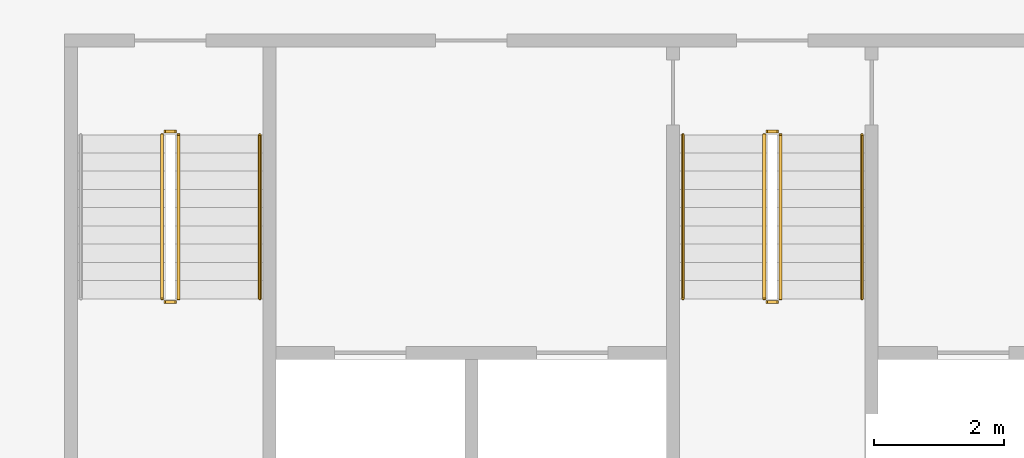
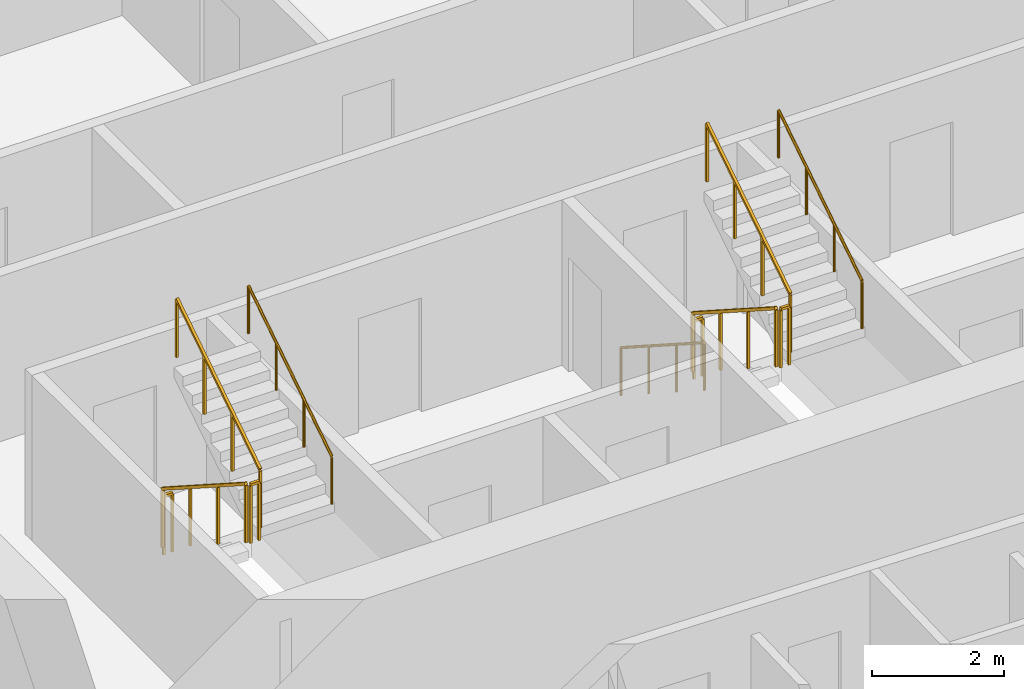
# One storey, part 12 of 14: 11 railings.
"""IFC4 building model written with IfcOpenShell, lengths in metres."""

import ifcopenshell
import ifcopenshell.guid

model = None  # the IFC model being written
_history = None  # IfcOwnerHistory: only IFC2X3 demands one
_inside = {}  # id of a spatial element -> (the spatial element, [elements in it])
_under = {}  # id of a project, library or spatial element -> (it, [spatial elements below it])
_declared = {}  # id of a project -> (the project, [libraries it declares])
_typed = {}  # id of a type object -> (the type object, [elements of that type])
_made_of = {}  # id of a material, layer set ... -> (it, [elements and type objects made of it])


def new_model(schema):
    """Start an empty IFC model of exactly this schema.

    Asked for "IFC4X3", IfcOpenShell would pick the latest addendum, in which some entities
    have other attributes; the version numbers below select the first issue.
    IFC2X3 requires an IfcOwnerHistory on every rooted entity: one is made here for all.
    """
    global model, _history
    if schema == "IFC4X3":
        model = ifcopenshell.file(schema_version=(4, 3, 0, 0))
    else:
        model = ifcopenshell.file(schema=schema)
    _inside.clear()
    _under.clear()
    _declared.clear()
    _typed.clear()
    _made_of.clear()
    _history = None
    if model.schema == "IFC2X3":
        org = make("IfcOrganization", Name="unknown")
        user = make(
            "IfcPersonAndOrganization",
            ThePerson=make("IfcPerson", FamilyName="unknown"),
            TheOrganization=org,
        )
        app = make(
            "IfcApplication",
            ApplicationDeveloper=org,
            Version="unknown",
            ApplicationFullName="unknown",
            ApplicationIdentifier="unknown",
        )
        _history = make(
            "IfcOwnerHistory",
            OwningUser=user,
            OwningApplication=app,
            ChangeAction="ADDED",
            CreationDate=0,
        )
    return model


def make(cls, **values):
    """One entity of the class cls with the attributes given. An attribute that is None is left unset."""
    return model.create_entity(
        cls, **{name: value for name, value in values.items() if value is not None}
    )


def rooted(cls, **values):
    """An entity with a GlobalId (a new one), such as an element, a storey or a relation."""
    return make(cls, GlobalId=ifcopenshell.guid.new(), OwnerHistory=_history, **values)


def si_unit(unit_type, name, prefix=None):
    """IfcSIUnit, for example si_unit("LENGTHUNIT", "METRE", prefix="MILLI")."""
    return make("IfcSIUnit", UnitType=unit_type, Prefix=prefix, Name=name)


def assignment(units):
    """IfcUnitAssignment: the units of a project."""
    return None if units is None else make("IfcUnitAssignment", Units=units)


def point(xyz):
    """IfcCartesianPoint."""
    return None if xyz is None else make("IfcCartesianPoint", Coordinates=xyz)


def direction(xyz):
    """IfcDirection."""
    return None if xyz is None else make("IfcDirection", DirectionRatios=xyz)


def frame(location, z_axis=None, x_axis=None):
    """IfcAxis2Placement3D, a coordinate frame: its origin and axes. An axis left out is left unset."""
    return make(
        "IfcAxis2Placement3D",
        Location=point(location),
        Axis=direction(z_axis),
        RefDirection=direction(x_axis),
    )


def frame_2d(location, x_axis=None):
    """IfcAxis2Placement2D, a coordinate frame in the plane: its origin and x axis."""
    return make(
        "IfcAxis2Placement2D", Location=point(location), RefDirection=direction(x_axis)
    )


def origin():
    """The frame at (0, 0, 0) with its axes left unset."""
    return frame((0.0, 0.0, 0.0))


def origin_2d():
    """The frame at (0, 0) in the plane with its x axis left unset."""
    return frame_2d((0.0, 0.0))


def place(relative_to, where):
    """IfcLocalPlacement: puts the frame where relative to a parent placement (None: the world)."""
    return make(
        "IfcLocalPlacement", PlacementRelTo=relative_to, RelativePlacement=where
    )


def context(
    kind, dimensions, precision=None, world=None, true_north=None, identifier=None
):
    """IfcGeometricRepresentationContext, for example the 3D "Model" context."""
    return make(
        "IfcGeometricRepresentationContext",
        ContextIdentifier=identifier,
        ContextType=kind,
        CoordinateSpaceDimension=dimensions,
        Precision=precision,
        WorldCoordinateSystem=world,
        TrueNorth=true_north,
    )


def subcontext(parent, identifier, kind, view, scale=None):
    """IfcGeometricRepresentationSubContext, for example "Body" below "Model"."""
    return make(
        "IfcGeometricRepresentationSubContext",
        ContextIdentifier=identifier,
        ContextType=kind,
        ParentContext=parent,
        TargetScale=scale,
        TargetView=view,
    )


def project(units=None, contexts=None):
    """IfcProject with its units and contexts."""
    return rooted(
        "IfcProject",
        Name="project",
        RepresentationContexts=contexts,
        UnitsInContext=assignment(units),
    )


def spatial(cls, under=None, at=None, **own):
    """A site, building, storey or space (cls), placed at a placement, below another one or the project."""
    s = rooted(cls, ObjectPlacement=at, **own)
    if under is not None:
        _under.setdefault(under.id(), (under, []))[1].append(s)
    return s


def profile(cls, at=None, kind="AREA", **sizes):
    """A parametric profile (cls). Its sizes go by their IFC names, for example OverallWidth=200.0."""
    return make(cls, ProfileType=kind, Position=at, **sizes)


def rectangle(**sizes):
    """IfcRectangleProfileDef."""
    return profile("IfcRectangleProfileDef", **sizes)


def circle(**sizes):
    """IfcCircleProfileDef."""
    return profile("IfcCircleProfileDef", **sizes)


def extrude(swept, where, along, depth):
    """IfcExtrudedAreaSolid: the profile swept, set in the frame where, extruded along a direction by depth."""
    return make(
        "IfcExtrudedAreaSolid",
        SweptArea=swept,
        Position=where,
        ExtrudedDirection=direction(along),
        Depth=depth,
    )


def shape(context_of_items, identifier, shape_type, items):
    """IfcShapeRepresentation: the items that make up one representation, for example the "Body"."""
    return make(
        "IfcShapeRepresentation",
        ContextOfItems=context_of_items,
        RepresentationIdentifier=identifier,
        RepresentationType=shape_type,
        Items=items,
    )


def material(Name=None, Category=None):
    """IfcMaterial."""
    return make("IfcMaterial", Name=Name, Category=Category)


def made_of(thing, what):
    """Note that an element or type object is made of a material, layer set ...; save() writes the relation."""
    if what is not None:
        _made_of.setdefault(what.id(), (what, []))[1].append(thing)
    return thing


def type_object(cls, material=None, **own):
    """A type object (cls), such as IfcWallType, which elements share."""
    return made_of(rooted(cls, **own), material)


def element(
    cls,
    number,
    at=None,
    inside=None,
    cuts=None,
    type_object=None,
    material=None,
    context=None,
    identifier="Body",
    shape_type=None,
    held_by="IfcProductDefinitionShape",
    body=None,
    shapes=None,
    **own,
):
    """One element of the class cls, such as IfcWall. Its Tag is "e" and its number.

    at: its placement. inside: the storey or other place that contains it. cuts: it is an
    opening in that element (IfcRelVoidsElement). A single representation is given by context,
    identifier, shape_type and body (its items); several are given by shapes. held_by: the class
    of the entity that holds the representations. save() writes the other relations.
    """
    e = rooted(cls, Tag="e%d" % number, ObjectPlacement=at, **own)
    if body is not None:
        shapes = [shape(context, identifier, shape_type, body)]
    if shapes is not None:
        e.Representation = make(held_by, Representations=shapes)
    if inside is not None:
        _inside.setdefault(inside.id(), (inside, []))[1].append(e)
    if cuts is not None:
        rooted(
            "IfcRelVoidsElement", RelatingBuildingElement=cuts, RelatedOpeningElement=e
        )
    if type_object is not None:
        _typed.setdefault(type_object.id(), (type_object, []))[1].append(e)
    return made_of(e, material)


def aggregate(whole, parts):
    """IfcRelAggregates: a whole, such as a stair, and the parts it consists of."""
    return rooted("IfcRelAggregates", RelatingObject=whole, RelatedObjects=parts)


def save(model, path):
    """Write the relations noted so far, then the file.

    IfcRelAggregates (storeys below a building ...), IfcRelContainedInSpatialStructure (elements
    in a storey), IfcRelDefinesByType, IfcRelAssociatesMaterial and IfcRelDeclares: one each for
    every whole, place, type object, material and project.
    """
    for whole, parts in _under.values():
        aggregate(whole, parts)
    for where, things in _inside.values():
        rooted(
            "IfcRelContainedInSpatialStructure",
            RelatedElements=things,
            RelatingStructure=where,
        )
    for kind, things in _typed.values():
        rooted("IfcRelDefinesByType", RelatedObjects=things, RelatingType=kind)
    for what, things in _made_of.values():
        rooted("IfcRelAssociatesMaterial", RelatedObjects=things, RelatingMaterial=what)
    for by, libraries in _declared.values():
        rooted("IfcRelDeclares", RelatingContext=by, RelatedDefinitions=libraries)
    model.write(path)


model = new_model("IFC4")

# Units and contexts
model_context = context("Model", 3, precision=1e-05, world=origin(), true_north=direction((0.0, 1.0)))
body_context = subcontext(model_context, "Body", "Model", "MODEL_VIEW")
ifc_project = project(units=[si_unit("LENGTHUNIT", "METRE"), si_unit("AREAUNIT", "SQUARE_METRE"), si_unit("VOLUMEUNIT", "CUBIC_METRE"), si_unit("PLANEANGLEUNIT", "RADIAN"), si_unit("MASSUNIT", "GRAM", prefix="KILO")], contexts=[model_context])

# Site, building, storey
site_placement = place(None, origin())
site = spatial("IfcSite", under=ifc_project, at=site_placement, CompositionType="ELEMENT")
building_placement = place(site_placement, origin())
building = spatial("IfcBuilding", under=site, at=building_placement, Name="Mangrove Gate Tower", CompositionType="ELEMENT")
storey_placement = place(building_placement, frame((0.0, 0.0, 205.10009765625)))
storey = spatial("IfcBuildingStorey", under=building, at=storey_placement, Name="L52", CompositionType="ELEMENT", Elevation=205.10009765625)

# Railings
ifc_material_1 = material(Name="Stainless steel 316", Category="steel")
railing_type_1 = type_object("IfcRailingType", Name="Core stair guard 1100", PredefinedType="GUARDRAIL", material=ifc_material_1)
railing_1_placement = place(storey_placement, frame((-9.39990234375, -4.64990234375, 0.179931640625)))
element("IfcRailing", 1, at=railing_1_placement, inside=storey, type_object=railing_type_1, Name="L52 ST1 stair guard 1", PredefinedType="GUARDRAIL", context=body_context, shape_type="SweptSolid", body=[
    extrude(rectangle(XDim=0.048095703125, YDim=0.048095703125, at=origin_2d()), frame((0.0, 0.0, 1.076171875), z_axis=(0.0, -0.841199657755, 0.540724639528), x_axis=(1.0, 0.0, 0.0)), (0.0, 0.0, 1.0), 2.995849609375),
    extrude(rectangle(XDim=0.0419921875, YDim=0.0419921875, at=origin_2d()), origin(), (0.0, 0.0, 1.0), 1.052001953125),
    extrude(rectangle(XDim=0.0419921875, YDim=0.0419921875, at=origin_2d()), frame((0.0, -0.840087890625, 0.5400390625)), (0.0, 0.0, 1.0), 1.052001953125),
    extrude(rectangle(XDim=0.0419921875, YDim=0.0419921875, at=origin_2d()), frame((0.0, -1.679931640625, 1.079833984375)), (0.0, 0.0, 1.0), 1.052001953125),
    extrude(rectangle(XDim=0.0419921875, YDim=0.0419921875, at=origin_2d()), frame((0.0, -2.52001953125, 1.619873046875)), (0.0, 0.0, 1.0), 1.052001953125),
])
railing_2_placement = place(storey_placement, frame((-9.35009765625, -7.219970703125, 1.7998046875)))
element("IfcRailing", 2, at=railing_2_placement, inside=storey, type_object=railing_type_1, Name="L52 ST1 stair guard 2", PredefinedType="GUARDRAIL", context=body_context, shape_type="SweptSolid", body=[
    extrude(rectangle(XDim=0.048095703125, YDim=0.048095703125, at=origin_2d()), frame((0.0, 0.0, 1.076171875), z_axis=(1.0, 0.0, 0.0), x_axis=(0.0, 1.0, 0.0)), (0.0, 0.0, 1.0), 0.150146484375),
    extrude(rectangle(XDim=0.0419921875, YDim=0.0419921875, at=origin_2d()), origin(), (0.0, 0.0, 1.0), 1.052001953125),
    extrude(rectangle(XDim=0.0419921875, YDim=0.0419921875, at=origin_2d()), frame((0.150146484375, 0.0, 0.0)), (0.0, 0.0, 1.0), 1.052001953125),
])
railing_3_placement = place(storey_placement, frame((-9.14990234375, -7.169921875, 1.97998046875)))
element("IfcRailing", 3, at=railing_3_placement, inside=storey, type_object=railing_type_1, Name="L52 ST1 stair guard 3", PredefinedType="GUARDRAIL", context=body_context, shape_type="SweptSolid", body=[
    extrude(rectangle(XDim=0.048095703125, YDim=0.048095703125, at=origin_2d()), frame((0.0, 0.0, 1.076171875), z_axis=(0.0, 0.841199657755, 0.540724639528), x_axis=(-1.0, 0.0, 0.0)), (0.0, 0.0, 1.0), 2.995849609375),
    extrude(rectangle(XDim=0.0419921875, YDim=0.0419921875, at=origin_2d()), origin(), (0.0, 0.0, 1.0), 1.052001953125),
    extrude(rectangle(XDim=0.0419921875, YDim=0.0419921875, at=origin_2d()), frame((0.0, 0.840087890625, 0.5400390625)), (0.0, 0.0, 1.0), 1.052001953125),
    extrude(rectangle(XDim=0.0419921875, YDim=0.0419921875, at=origin_2d()), frame((0.0, 1.679931640625, 1.079833984375)), (0.0, 0.0, 1.0), 1.052001953125),
    extrude(rectangle(XDim=0.0419921875, YDim=0.0419921875, at=origin_2d()), frame((0.0, 2.52001953125, 1.619873046875)), (0.0, 0.0, 1.0), 1.052001953125),
])
railing_4_placement = place(storey_placement, frame((-9.35009765625, -4.60009765625, 0.0)))
element("IfcRailing", 4, at=railing_4_placement, inside=storey, type_object=railing_type_1, Name="L52 ST1 stair guard 4", PredefinedType="GUARDRAIL", context=body_context, shape_type="SweptSolid", body=[
    extrude(rectangle(XDim=0.048095703125, YDim=0.048095703125, at=origin_2d()), frame((0.0, 0.0, 1.076171875), z_axis=(1.0, 0.0, 0.0), x_axis=(0.0, 1.0, 0.0)), (0.0, 0.0, 1.0), 0.150146484375),
    extrude(rectangle(XDim=0.0419921875, YDim=0.0419921875, at=origin_2d()), origin(), (0.0, 0.0, 1.0), 1.052001953125),
    extrude(rectangle(XDim=0.0419921875, YDim=0.0419921875, at=origin_2d()), frame((0.150146484375, 0.0, 0.0)), (0.0, 0.0, 1.0), 1.052001953125),
])
railing_5_placement = place(storey_placement, frame((-0.14990234375, -4.64990234375, 0.179931640625)))
element("IfcRailing", 5, at=railing_5_placement, inside=storey, type_object=railing_type_1, Name="L52 ST2 stair guard 1", PredefinedType="GUARDRAIL", context=body_context, shape_type="SweptSolid", body=[
    extrude(rectangle(XDim=0.048095703125, YDim=0.048095703125, at=origin_2d()), frame((0.0, 0.0, 1.076171875), z_axis=(0.0, -0.841199657755, 0.540724639528), x_axis=(1.0, 0.0, 0.0)), (0.0, 0.0, 1.0), 2.995849609375),
    extrude(rectangle(XDim=0.0419921875, YDim=0.0419921875, at=origin_2d()), origin(), (0.0, 0.0, 1.0), 1.052001953125),
    extrude(rectangle(XDim=0.0419921875, YDim=0.0419921875, at=origin_2d()), frame((0.0, -0.840087890625, 0.5400390625)), (0.0, 0.0, 1.0), 1.052001953125),
    extrude(rectangle(XDim=0.0419921875, YDim=0.0419921875, at=origin_2d()), frame((0.0, -1.679931640625, 1.079833984375)), (0.0, 0.0, 1.0), 1.052001953125),
    extrude(rectangle(XDim=0.0419921875, YDim=0.0419921875, at=origin_2d()), frame((0.0, -2.52001953125, 1.619873046875)), (0.0, 0.0, 1.0), 1.052001953125),
])
railing_6_placement = place(storey_placement, frame((-0.10009765625, -7.219970703125, 1.7998046875)))
element("IfcRailing", 6, at=railing_6_placement, inside=storey, type_object=railing_type_1, Name="L52 ST2 stair guard 2", PredefinedType="GUARDRAIL", context=body_context, shape_type="SweptSolid", body=[
    extrude(rectangle(XDim=0.048095703125, YDim=0.048095703125, at=origin_2d()), frame((0.0, 0.0, 1.076171875), z_axis=(1.0, 0.0, 0.0), x_axis=(0.0, 1.0, 0.0)), (0.0, 0.0, 1.0), 0.150146484375),
    extrude(rectangle(XDim=0.0419921875, YDim=0.0419921875, at=origin_2d()), origin(), (0.0, 0.0, 1.0), 1.052001953125),
    extrude(rectangle(XDim=0.0419921875, YDim=0.0419921875, at=origin_2d()), frame((0.150146484375, 0.0, 0.0)), (0.0, 0.0, 1.0), 1.052001953125),
])
railing_7_placement = place(storey_placement, frame((0.10009765625, -7.169921875, 1.97998046875)))
element("IfcRailing", 7, at=railing_7_placement, inside=storey, type_object=railing_type_1, Name="L52 ST2 stair guard 3", PredefinedType="GUARDRAIL", context=body_context, shape_type="SweptSolid", body=[
    extrude(rectangle(XDim=0.048095703125, YDim=0.048095703125, at=origin_2d()), frame((0.0, 0.0, 1.076171875), z_axis=(0.0, 0.841199657755, 0.540724639528), x_axis=(-1.0, 0.0, 0.0)), (0.0, 0.0, 1.0), 2.995849609375),
    extrude(rectangle(XDim=0.0419921875, YDim=0.0419921875, at=origin_2d()), origin(), (0.0, 0.0, 1.0), 1.052001953125),
    extrude(rectangle(XDim=0.0419921875, YDim=0.0419921875, at=origin_2d()), frame((0.0, 0.840087890625, 0.5400390625)), (0.0, 0.0, 1.0), 1.052001953125),
    extrude(rectangle(XDim=0.0419921875, YDim=0.0419921875, at=origin_2d()), frame((0.0, 1.679931640625, 1.079833984375)), (0.0, 0.0, 1.0), 1.052001953125),
    extrude(rectangle(XDim=0.0419921875, YDim=0.0419921875, at=origin_2d()), frame((0.0, 2.52001953125, 1.619873046875)), (0.0, 0.0, 1.0), 1.052001953125),
])
railing_8_placement = place(storey_placement, frame((-0.10009765625, -4.60009765625, 0.0)))
element("IfcRailing", 8, at=railing_8_placement, inside=storey, type_object=railing_type_1, Name="L52 ST2 stair guard 4", PredefinedType="GUARDRAIL", context=body_context, shape_type="SweptSolid", body=[
    extrude(rectangle(XDim=0.048095703125, YDim=0.048095703125, at=origin_2d()), frame((0.0, 0.0, 1.076171875), z_axis=(1.0, 0.0, 0.0), x_axis=(0.0, 1.0, 0.0)), (0.0, 0.0, 1.0), 0.150146484375),
    extrude(rectangle(XDim=0.0419921875, YDim=0.0419921875, at=origin_2d()), origin(), (0.0, 0.0, 1.0), 1.052001953125),
    extrude(rectangle(XDim=0.0419921875, YDim=0.0419921875, at=origin_2d()), frame((0.150146484375, 0.0, 0.0)), (0.0, 0.0, 1.0), 1.052001953125),
])
ifc_material_2 = material(Name="Stainless steel 316", Category="steel")
railing_type_2 = type_object("IfcRailingType", Name="Core stair handrail 900", PredefinedType="HANDRAIL", material=ifc_material_2)
railing_9_placement = place(storey_placement, frame((-7.89990234375, -7.169921875, 1.97998046875)))
element("IfcRailing", 9, at=railing_9_placement, inside=storey, type_object=railing_type_2, Name="L52 ST1 stair handrail 2", PredefinedType="HANDRAIL", context=body_context, shape_type="SweptSolid", body=[
    extrude(circle(Radius=0.02392578125, at=origin_2d()), frame((0.0, 0.0, 0.8759765625), z_axis=(0.0, 0.841199657755, 0.540724639528), x_axis=(-1.0, 0.0, 0.0)), (0.0, 0.0, 1.0), 2.995849609375),
    extrude(circle(Radius=0.02099609375, at=origin_2d()), origin(), (0.0, 0.0, 1.0), 0.851806640625),
    extrude(circle(Radius=0.02099609375, at=origin_2d()), frame((0.0, 0.840087890625, 0.5400390625)), (0.0, 0.0, 1.0), 0.851806640625),
    extrude(circle(Radius=0.02099609375, at=origin_2d()), frame((0.0, 1.679931640625, 1.079833984375)), (0.0, 0.0, 1.0), 0.851806640625),
    extrude(circle(Radius=0.02099609375, at=origin_2d()), frame((0.0, 2.52001953125, 1.619873046875)), (0.0, 0.0, 1.0), 0.851806640625),
])
railing_10_placement = place(storey_placement, frame((-1.39990234375, -4.64990234375, 0.179931640625)))
element("IfcRailing", 10, at=railing_10_placement, inside=storey, type_object=railing_type_2, Name="L52 ST2 stair handrail 1", PredefinedType="HANDRAIL", context=body_context, shape_type="SweptSolid", body=[
    extrude(circle(Radius=0.02392578125, at=origin_2d()), frame((0.0, 0.0, 0.8759765625), z_axis=(0.0, -0.841199657755, 0.540724639528), x_axis=(1.0, 0.0, 0.0)), (0.0, 0.0, 1.0), 2.995849609375),
    extrude(circle(Radius=0.02099609375, at=origin_2d()), origin(), (0.0, 0.0, 1.0), 0.851806640625),
    extrude(circle(Radius=0.02099609375, at=origin_2d()), frame((0.0, -0.840087890625, 0.5400390625)), (0.0, 0.0, 1.0), 0.851806640625),
    extrude(circle(Radius=0.02099609375, at=origin_2d()), frame((0.0, -1.679931640625, 1.079833984375)), (0.0, 0.0, 1.0), 0.851806640625),
    extrude(circle(Radius=0.02099609375, at=origin_2d()), frame((0.0, -2.52001953125, 1.619873046875)), (0.0, 0.0, 1.0), 0.851806640625),
])
railing_11_placement = place(storey_placement, frame((1.35009765625, -7.169921875, 1.97998046875)))
element("IfcRailing", 11, at=railing_11_placement, inside=storey, type_object=railing_type_2, Name="L52 ST2 stair handrail 2", PredefinedType="HANDRAIL", context=body_context, shape_type="SweptSolid", body=[
    extrude(circle(Radius=0.02392578125, at=origin_2d()), frame((0.0, 0.0, 0.8759765625), z_axis=(0.0, 0.841199657755, 0.540724639528), x_axis=(-1.0, 0.0, 0.0)), (0.0, 0.0, 1.0), 2.995849609375),
    extrude(circle(Radius=0.02099609375, at=origin_2d()), origin(), (0.0, 0.0, 1.0), 0.851806640625),
    extrude(circle(Radius=0.02099609375, at=origin_2d()), frame((0.0, 0.840087890625, 0.5400390625)), (0.0, 0.0, 1.0), 0.851806640625),
    extrude(circle(Radius=0.02099609375, at=origin_2d()), frame((0.0, 1.679931640625, 1.079833984375)), (0.0, 0.0, 1.0), 0.851806640625),
    extrude(circle(Radius=0.02099609375, at=origin_2d()), frame((0.0, 2.52001953125, 1.619873046875)), (0.0, 0.0, 1.0), 0.851806640625),
])

save(model, "model.ifc")
